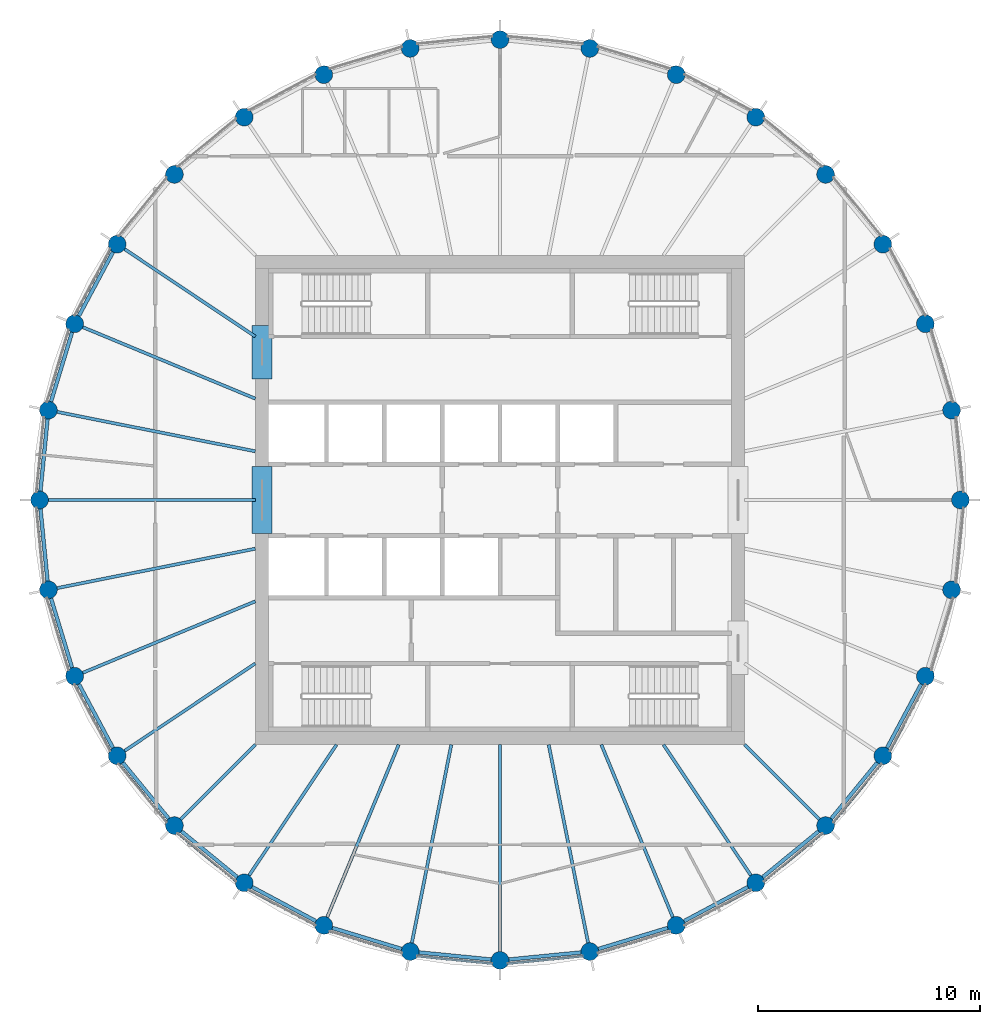
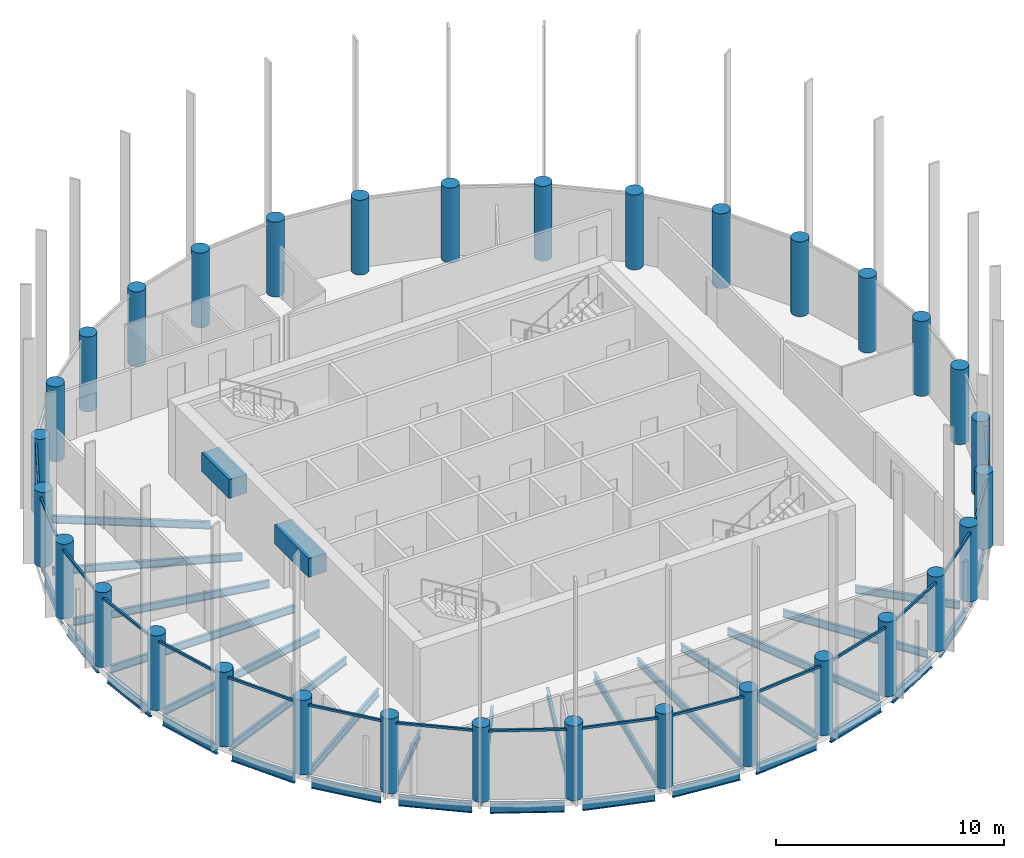
# One storey, part 1 of 7: 35 beams, 32 columns, 17 members, 17 elements without a shape of their own.
"""IFC4 building model written with IfcOpenShell, lengths in metres."""

from ifc_helpers import new_model, si_unit, direction, frame, origin, origin_2d, place, context, subcontext, project, spatial, rectangle, circle, i_section, extrude, material, material_profile, profile_set, type_object, element, aggregate, save


model = new_model("IFC4")

# Units and contexts
model_context = context("Model", 3, precision=1e-05, world=origin(), true_north=direction((0.0, 1.0)))
body_context = subcontext(model_context, "Body", "Model", "MODEL_VIEW")
ifc_project = project(units=[si_unit("LENGTHUNIT", "METRE"), si_unit("AREAUNIT", "SQUARE_METRE"), si_unit("VOLUMEUNIT", "CUBIC_METRE"), si_unit("PLANEANGLEUNIT", "RADIAN"), si_unit("MASSUNIT", "GRAM", prefix="KILO")], contexts=[model_context])

# Site, building, storey
site_placement = place(None, origin())
site = spatial("IfcSite", under=ifc_project, at=site_placement, CompositionType="ELEMENT")
building_placement = place(site_placement, origin())
building = spatial("IfcBuilding", under=site, at=building_placement, Name="Corvane Civic Tower", CompositionType="ELEMENT")
storey_placement = place(building_placement, frame((0.0, 0.0, 368.5)))
storey = spatial("IfcBuildingStorey", under=building, at=storey_placement, Name="L88", CompositionType="ELEMENT", Elevation=368.5)

# Columns
ifc_material_1 = material(Name="Concrete C60/75", Category="concrete")
ifc_material_profile_1 = material_profile(ifc_material_1, circle(Radius=0.39990234375, at=origin_2d()), Name="COLUMN 800")
ifc_profile_set_1 = profile_set([ifc_material_profile_1], Name="Concrete C60/75")
column_type = type_object("IfcColumnType", Name="RC COLUMN COLUMN 800", PredefinedType="COLUMN", material=ifc_profile_set_1)
for number, where, z_axis, x_axis, name in (
    (1, (0.0, 20.699951171875, 0.0), (0.0, 0.0, 1.0), (1.0, 0.0, 0.0), "COL-L88-F01"),
    (2, (4.038330078125, 20.30224609375, 0.0), (0.0, 0.0, 1.0), (1.0, 0.0, 0.0), "COL-L88-F02"),
    (3, (7.921630859375, 19.124267578125, 0.0), (0.0, 0.0, 1.0), (1.0, 0.0, 0.0), "COL-L88-F03"),
    (4, (11.500244140625, 17.21142578125, 0.0), (0.0, 0.0, 1.0), (1.0, 0.0, 0.0), "COL-L88-F04"),
    (5, (14.63720703125, 14.63720703125, 0.0), (0.0, 0.0, 1.0), (1.0, 0.0, 0.0), "COL-L88-F05"),
    (6, (17.21142578125, 11.500244140625, 0.0), (0.0, 0.0, 1.0), (1.0, 0.0, 0.0), "COL-L88-F06"),
    (7, (19.124267578125, 7.921630859375, 0.0), (0.0, 0.0, 1.0), (1.0, 0.0, 0.0), "COL-L88-F07"),
    (8, (20.30224609375, 4.038330078125, 0.0), (0.0, 0.0, 1.0), (1.0, 0.0, 0.0), "COL-L88-F08"),
    (9, (20.699951171875, 0.0, 0.0), (0.0, 0.0, 1.0), (1.0, 0.0, 0.0), "COL-L88-F09"),
    (10, (20.30224609375, -4.038330078125, 0.0), (0.0, 0.0, 1.0), (1.0, 0.0, 0.0), "COL-L88-F10"),
    (11, (19.124267578125, -7.921630859375, 0.0), (0.0, 0.0, 1.0), (1.0, 0.0, 0.0), "COL-L88-F11"),
    (12, (17.21142578125, -11.500244140625, 0.0), (0.0, 0.0, 1.0), (1.0, 0.0, 0.0), "COL-L88-F12"),
    (13, (14.63720703125, -14.63720703125, 0.0), (0.0, 0.0, 1.0), (1.0, 0.0, 0.0), "COL-L88-F13"),
    (14, (11.500244140625, -17.21142578125, 0.0), (0.0, 0.0, 1.0), (1.0, 0.0, 0.0), "COL-L88-F14"),
    (15, (7.921630859375, -19.124267578125, 0.0), (0.0, 0.0, 1.0), (1.0, 0.0, 0.0), "COL-L88-F15"),
    (16, (4.038330078125, -20.30224609375, 0.0), (0.0, 0.0, 1.0), (1.0, 0.0, 0.0), "COL-L88-F16"),
    (17, (0.0, -20.699951171875, 0.0), (0.0, 0.0, 1.0), (1.0, 0.0, 0.0), "COL-L88-F17"),
    (18, (-4.038330078125, -20.30224609375, 0.0), (0.0, 0.0, 1.0), (1.0, 0.0, 0.0), "COL-L88-F18"),
    (19, (-7.921630859375, -19.124267578125, 0.0), (0.0, 0.0, 1.0), (1.0, 0.0, 0.0), "COL-L88-F19"),
    (20, (-11.500244140625, -17.21142578125, 0.0), (0.0, 0.0, 1.0), (1.0, 0.0, 0.0), "COL-L88-F20"),
    (21, (-14.63720703125, -14.63720703125, 0.0), (0.0, 0.0, 1.0), (1.0, 0.0, 0.0), "COL-L88-F21"),
    (22, (-17.21142578125, -11.500244140625, 0.0), (0.0, 0.0, 1.0), (1.0, 0.0, 0.0), "COL-L88-F22"),
    (23, (-19.124267578125, -7.921630859375, 0.0), (0.0, 0.0, 1.0), (1.0, 0.0, 0.0), "COL-L88-F23"),
    (24, (-20.30224609375, -4.038330078125, 0.0), (0.0, 0.0, 1.0), (1.0, 0.0, 0.0), "COL-L88-F24"),
    (25, (-20.699951171875, 0.0, 0.0), (0.0, 0.0, 1.0), (1.0, 0.0, 0.0), "COL-L88-F25"),
    (26, (-20.30224609375, 4.038330078125, 0.0), (0.0, 0.0, 1.0), (1.0, 0.0, 0.0), "COL-L88-F26"),
    (27, (-19.124267578125, 7.921630859375, 0.0), (0.0, 0.0, 1.0), (1.0, 0.0, 0.0), "COL-L88-F27"),
    (28, (-17.21142578125, 11.500244140625, 0.0), (0.0, 0.0, 1.0), (1.0, 0.0, 0.0), "COL-L88-F28"),
    (29, (-14.63720703125, 14.63720703125, 0.0), (0.0, 0.0, 1.0), (1.0, 0.0, 0.0), "COL-L88-F29"),
    (30, (-11.500244140625, 17.21142578125, 0.0), (0.0, 0.0, 1.0), (1.0, 0.0, 0.0), "COL-L88-F30"),
    (31, (-7.921630859375, 19.124267578125, 0.0), (0.0, 0.0, 1.0), (1.0, 0.0, 0.0), "COL-L88-F31"),
    (32, (-4.038330078125, 20.30224609375, 0.0), (0.0, 0.0, 1.0), (1.0, 0.0, 0.0), "COL-L88-F32"),
):
    element("IfcColumn", number, at=place(storey_placement, frame(where, z_axis=z_axis, x_axis=x_axis)), inside=storey, type_object=column_type, Name=name, PredefinedType="COLUMN", context=body_context, shape_type="SweptSolid", body=[
        extrude(circle(Radius=0.39990234375, at=origin_2d()), origin(), (0.0, 0.0, 1.0), 4.0),
    ])

# Beams
ifc_material_2 = material(Name="Concrete C40/50", Category="concrete")
ifc_material_profile_2 = material_profile(ifc_material_2, rectangle(XDim=0.89990234375, YDim=1.0, at=origin_2d()), Name="COUPLING BEAM 900X1000")
ifc_profile_set_2 = profile_set([ifc_material_profile_2], Name="Concrete C40/50")
beam_type_1 = type_object("IfcBeamType", Name="COUPLING BEAM COUPLING BEAM 900X1000", PredefinedType="BEAM", material=ifc_profile_set_2)
beam_1_placement = place(storey_placement, frame((-10.699951171875, -1.5, 2.60009765625), z_axis=(0.0, 1.0, 0.0), x_axis=(-1.0, 0.0, 0.0)))
element("IfcBeam", 33, at=beam_1_placement, inside=storey, type_object=beam_type_1, Name="BM-L88-cpl-CW-LW", PredefinedType="BEAM", context=body_context, shape_type="SweptSolid", body=[
    extrude(rectangle(XDim=0.89990234375, YDim=1.0, at=origin_2d()), origin(), (0.0, 0.0, 1.0), 3.0),
])
beam_2_placement = place(storey_placement, frame((-10.699951171875, 5.449951171875, 2.60009765625), z_axis=(0.0, 1.0, 0.0), x_axis=(-1.0, 0.0, 0.0)))
element("IfcBeam", 34, at=beam_2_placement, inside=storey, type_object=beam_type_1, Name="BM-L88-cpl-CW-WN", PredefinedType="BEAM", context=body_context, shape_type="SweptSolid", body=[
    extrude(rectangle(XDim=0.89990234375, YDim=1.0, at=origin_2d()), origin(), (0.0, 0.0, 1.0), 2.400146484375),
])
ifc_material_3 = material(Name="Steel ASTM A992 Gr 50", Category="steel")
ifc_material_profile_3 = material_profile(ifc_material_3, i_section(OverallWidth=0.165771484375, OverallDepth=0.5283203125, WebThickness=0.009765625, FlangeThickness=0.013671875, at=origin_2d()), Name="W21X50")
ifc_profile_set_3 = profile_set([ifc_material_profile_3], Name="Steel ASTM A992 Gr 50")
beam_type_2 = type_object("IfcBeamType", Name="EDGE BEAM W21X50", PredefinedType="BEAM", material=ifc_profile_set_3)
for number, where, z_axis, x_axis, name in (
    (35, (18.935791015625, -8.2744140625, -0.564208984375), (-0.471447618, -0.881894065907, 0.0), (0.881894065907, -0.471447618, 0.0), "BM-L88-E11"),
    (36, (16.957763671875, -11.8095703125, -0.564208984375), (-0.634424551454, -0.772984791903, 0.0), (0.772984791903, -0.634424551454, 0.0), "BM-L88-E12"),
    (37, (14.327880859375, -14.890869140625, -0.564208984375), (-0.772984791903, -0.634424551454, 0.0), (0.634424551454, -0.772984791903, 0.0), "BM-L88-E13"),
    (38, (11.1474609375, -17.39990234375, -0.564208984375), (-0.881894065907, -0.471447618, 0.0), (0.471447618, -0.881894065907, 0.0), "BM-L88-E14"),
    (39, (7.538818359375, -19.240478515625, -0.564208984375), (-0.956955679349, -0.290234091317, 0.0), (0.290234091317, -0.956955679349, 0.0), "BM-L88-E15"),
):
    element("IfcBeam", number, at=place(storey_placement, frame(where, z_axis=z_axis, x_axis=x_axis)), inside=storey, type_object=beam_type_2, Name=name, PredefinedType="BEAM", context=body_context, shape_type="SweptSolid", body=[
        extrude(i_section(OverallWidth=0.165771484375, OverallDepth=0.5283203125, WebThickness=0.009765625, FlangeThickness=0.013671875, at=origin_2d()), origin(), (0.0, 0.0, 1.0), 3.2578125),
    ])
for number, where, z_axis, x_axis, name in (
    (40, (3.640380859375, -20.341552734375, -0.564208984375), (-0.995192503142, -0.097938152369, 0.0), (0.097938152369, -0.995192503142, 0.0), "BM-L88-E16"),
    (41, (-0.39794921875, -20.66064453125, -0.564208984375), (-0.995192503142, 0.097938152369, 0.0), (-0.097938152369, -0.995192503142, 0.0), "BM-L88-E17"),
):
    element("IfcBeam", number, at=place(storey_placement, frame(where, z_axis=z_axis, x_axis=x_axis)), inside=storey, type_object=beam_type_2, Name=name, PredefinedType="BEAM", context=body_context, shape_type="SweptSolid", body=[
        extrude(i_section(OverallWidth=0.165771484375, OverallDepth=0.5283203125, WebThickness=0.009765625, FlangeThickness=0.013671875, at=origin_2d()), origin(), (0.0, 0.0, 1.0), 3.258056640625),
    ])
for number, where, z_axis, x_axis, name in (
    (42, (-4.421142578125, -20.18603515625, -0.564208984375), (-0.956955679349, 0.290234091317, 0.0), (-0.290234091317, -0.956955679349, 0.0), "BM-L88-E18"),
    (43, (-8.2744140625, -18.935791015625, -0.564208984375), (-0.881894065907, 0.471447618, 0.0), (-0.471447618, -0.881894065907, 0.0), "BM-L88-E19"),
    (44, (-11.8095703125, -16.957763671875, -0.564208984375), (-0.772984791903, 0.634424551454, 0.0), (-0.634424551454, -0.772984791903, 0.0), "BM-L88-E20"),
    (45, (-14.890869140625, -14.327880859375, -0.564208984375), (-0.634424551454, 0.772984791903, 0.0), (-0.772984791903, -0.634424551454, 0.0), "BM-L88-E21"),
    (46, (-17.39990234375, -11.1474609375, -0.564208984375), (-0.471447618, 0.881894065907, 0.0), (-0.881894065907, -0.471447618, 0.0), "BM-L88-E22"),
    (47, (-19.240478515625, -7.538818359375, -0.564208984375), (-0.290234091317, 0.956955679349, 0.0), (-0.956955679349, -0.290234091317, 0.0), "BM-L88-E23"),
):
    element("IfcBeam", number, at=place(storey_placement, frame(where, z_axis=z_axis, x_axis=x_axis)), inside=storey, type_object=beam_type_2, Name=name, PredefinedType="BEAM", context=body_context, shape_type="SweptSolid", body=[
        extrude(i_section(OverallWidth=0.165771484375, OverallDepth=0.5283203125, WebThickness=0.009765625, FlangeThickness=0.013671875, at=origin_2d()), origin(), (0.0, 0.0, 1.0), 3.2578125),
    ])
for number, where, z_axis, x_axis, name in (
    (48, (-20.341552734375, -3.640380859375, -0.564208984375), (-0.097938152369, 0.995192503142, 0.0), (-0.995192503142, -0.097938152369, 0.0), "BM-L88-E24"),
    (49, (-20.66064453125, 0.39794921875, -0.564208984375), (0.097938152369, 0.995192503142, 0.0), (-0.995192503142, 0.097938152369, 0.0), "BM-L88-E25"),
):
    element("IfcBeam", number, at=place(storey_placement, frame(where, z_axis=z_axis, x_axis=x_axis)), inside=storey, type_object=beam_type_2, Name=name, PredefinedType="BEAM", context=body_context, shape_type="SweptSolid", body=[
        extrude(i_section(OverallWidth=0.165771484375, OverallDepth=0.5283203125, WebThickness=0.009765625, FlangeThickness=0.013671875, at=origin_2d()), origin(), (0.0, 0.0, 1.0), 3.258056640625),
    ])
for number, where, z_axis, x_axis, name in (
    (50, (-20.18603515625, 4.421142578125, -0.564208984375), (0.290234091317, 0.956955679349, 0.0), (-0.956955679349, 0.290234091317, 0.0), "BM-L88-E26"),
    (51, (-18.935791015625, 8.2744140625, -0.564208984375), (0.471447618, 0.881894065907, 0.0), (-0.881894065907, 0.471447618, 0.0), "BM-L88-E27"),
):
    element("IfcBeam", number, at=place(storey_placement, frame(where, z_axis=z_axis, x_axis=x_axis)), inside=storey, type_object=beam_type_2, Name=name, PredefinedType="BEAM", context=body_context, shape_type="SweptSolid", body=[
        extrude(i_section(OverallWidth=0.165771484375, OverallDepth=0.5283203125, WebThickness=0.009765625, FlangeThickness=0.013671875, at=origin_2d()), origin(), (0.0, 0.0, 1.0), 3.2578125),
    ])
ifc_material_4 = material(Name="Steel ASTM A992 Gr 50", Category="steel")
ifc_material_profile_4 = material_profile(ifc_material_4, i_section(OverallWidth=0.140380859375, OverallDepth=0.40380859375, WebThickness=0.007080078125, FlangeThickness=0.01123046875, at=origin_2d()), Name="W16X31")
ifc_profile_set_4 = profile_set([ifc_material_profile_4], Name="Steel ASTM A992 Gr 50")
beam_type_3 = type_object("IfcBeamType", Name="FLOOR GIRDER W16X31", PredefinedType="BEAM", material=ifc_profile_set_4)
beam_3_placement = place(storey_placement, frame((11.0, -11.0, -0.501953125), z_axis=(0.707106781187, -0.707106781187, 0.0), x_axis=(0.707106781187, 0.707106781187, 0.0)))
element("IfcBeam", 52, at=beam_3_placement, inside=storey, type_object=beam_type_3, Name="BM-L88-G13", PredefinedType="BEAM", context=body_context, shape_type="SweptSolid", body=[
    extrude(i_section(OverallWidth=0.140380859375, OverallDepth=0.40380859375, WebThickness=0.007080078125, FlangeThickness=0.01123046875, at=origin_2d()), origin(), (0.0, 0.0, 1.0), 4.74365234375),
])
beam_4_placement = place(storey_placement, frame((7.349853515625, -11.0, -0.501953125), z_axis=(0.555576401385, -0.831465490699, 0.0), x_axis=(0.831465490699, 0.555576401385, 0.0)))
element("IfcBeam", 53, at=beam_4_placement, inside=storey, type_object=beam_type_3, Name="BM-L88-G14", PredefinedType="BEAM", context=body_context, shape_type="SweptSolid", body=[
    extrude(i_section(OverallWidth=0.140380859375, OverallDepth=0.40380859375, WebThickness=0.007080078125, FlangeThickness=0.01123046875, at=origin_2d()), origin(), (0.0, 0.0, 1.0), 7.070556640625),
])
beam_5_placement = place(storey_placement, frame((4.556396484375, -11.0, -0.501953125), z_axis=(0.382691739894, -0.923876091377, 0.0), x_axis=(0.923876091377, 0.382691739894, 0.0)))
element("IfcBeam", 54, at=beam_5_placement, inside=storey, type_object=beam_type_3, Name="BM-L88-G15", PredefinedType="BEAM", context=body_context, shape_type="SweptSolid", body=[
    extrude(i_section(OverallWidth=0.140380859375, OverallDepth=0.40380859375, WebThickness=0.007080078125, FlangeThickness=0.01123046875, at=origin_2d()), origin(), (0.0, 0.0, 1.0), 8.3935546875),
])
beam_6_placement = place(storey_placement, frame((2.18798828125, -11.0, -0.501953125), z_axis=(0.195108241061, -0.980781715913, 0.0), x_axis=(0.980781715913, 0.195108241061, 0.0)))
element("IfcBeam", 55, at=beam_6_placement, inside=storey, type_object=beam_type_3, Name="BM-L88-G16", PredefinedType="BEAM", context=body_context, shape_type="SweptSolid", body=[
    extrude(i_section(OverallWidth=0.140380859375, OverallDepth=0.40380859375, WebThickness=0.007080078125, FlangeThickness=0.01123046875, at=origin_2d()), origin(), (0.0, 0.0, 1.0), 9.08447265625),
])
beam_7_placement = place(storey_placement, frame((0.0, -11.0, -0.501953125), z_axis=(0.0, -1.0, 0.0), x_axis=(1.0, 0.0, 0.0)))
element("IfcBeam", 56, at=beam_7_placement, inside=storey, type_object=beam_type_3, Name="BM-L88-G17", PredefinedType="BEAM", context=body_context, shape_type="SweptSolid", body=[
    extrude(i_section(OverallWidth=0.140380859375, OverallDepth=0.40380859375, WebThickness=0.007080078125, FlangeThickness=0.01123046875, at=origin_2d()), origin(), (0.0, 0.0, 1.0), 9.300048828125),
])
beam_8_placement = place(storey_placement, frame((-2.18798828125, -11.0, -0.501953125), z_axis=(-0.195108241061, -0.980781715913, 0.0), x_axis=(0.980781715913, -0.195108241061, 0.0)))
element("IfcBeam", 57, at=beam_8_placement, inside=storey, type_object=beam_type_3, Name="BM-L88-G18", PredefinedType="BEAM", context=body_context, shape_type="SweptSolid", body=[
    extrude(i_section(OverallWidth=0.140380859375, OverallDepth=0.40380859375, WebThickness=0.007080078125, FlangeThickness=0.01123046875, at=origin_2d()), origin(), (0.0, 0.0, 1.0), 9.08447265625),
])
beam_9_placement = place(storey_placement, frame((-4.556396484375, -11.0, -0.501953125), z_axis=(-0.382691739894, -0.923876091377, 0.0), x_axis=(0.923876091377, -0.382691739894, 0.0)))
element("IfcBeam", 58, at=beam_9_placement, inside=storey, type_object=beam_type_3, Name="BM-L88-G19", PredefinedType="BEAM", context=body_context, shape_type="SweptSolid", body=[
    extrude(i_section(OverallWidth=0.140380859375, OverallDepth=0.40380859375, WebThickness=0.007080078125, FlangeThickness=0.01123046875, at=origin_2d()), origin(), (0.0, 0.0, 1.0), 8.3935546875),
])
beam_10_placement = place(storey_placement, frame((-7.349853515625, -11.0, -0.501953125), z_axis=(-0.555576401385, -0.831465490699, 0.0), x_axis=(0.831465490699, -0.555576401385, 0.0)))
element("IfcBeam", 59, at=beam_10_placement, inside=storey, type_object=beam_type_3, Name="BM-L88-G20", PredefinedType="BEAM", context=body_context, shape_type="SweptSolid", body=[
    extrude(i_section(OverallWidth=0.140380859375, OverallDepth=0.40380859375, WebThickness=0.007080078125, FlangeThickness=0.01123046875, at=origin_2d()), origin(), (0.0, 0.0, 1.0), 7.070556640625),
])
beam_11_placement = place(storey_placement, frame((-11.0, -11.0, -0.501953125), z_axis=(-0.707106781187, -0.707106781187, 0.0), x_axis=(0.707106781187, -0.707106781187, 0.0)))
element("IfcBeam", 60, at=beam_11_placement, inside=storey, type_object=beam_type_3, Name="BM-L88-G21", PredefinedType="BEAM", context=body_context, shape_type="SweptSolid", body=[
    extrude(i_section(OverallWidth=0.140380859375, OverallDepth=0.40380859375, WebThickness=0.007080078125, FlangeThickness=0.01123046875, at=origin_2d()), origin(), (0.0, 0.0, 1.0), 4.74365234375),
])
beam_12_placement = place(storey_placement, frame((-11.0, -7.349853515625, -0.501953125), z_axis=(-0.831465490699, -0.555576401385, 0.0), x_axis=(0.555576401385, -0.831465490699, 0.0)))
element("IfcBeam", 61, at=beam_12_placement, inside=storey, type_object=beam_type_3, Name="BM-L88-G22", PredefinedType="BEAM", context=body_context, shape_type="SweptSolid", body=[
    extrude(i_section(OverallWidth=0.140380859375, OverallDepth=0.40380859375, WebThickness=0.007080078125, FlangeThickness=0.01123046875, at=origin_2d()), origin(), (0.0, 0.0, 1.0), 7.070556640625),
])
beam_13_placement = place(storey_placement, frame((-11.0, -4.556396484375, -0.501953125), z_axis=(-0.923876091377, -0.382691739894, 0.0), x_axis=(0.382691739894, -0.923876091377, 0.0)))
element("IfcBeam", 62, at=beam_13_placement, inside=storey, type_object=beam_type_3, Name="BM-L88-G23", PredefinedType="BEAM", context=body_context, shape_type="SweptSolid", body=[
    extrude(i_section(OverallWidth=0.140380859375, OverallDepth=0.40380859375, WebThickness=0.007080078125, FlangeThickness=0.01123046875, at=origin_2d()), origin(), (0.0, 0.0, 1.0), 8.3935546875),
])
beam_14_placement = place(storey_placement, frame((-11.0, -2.18798828125, -0.501953125), z_axis=(-0.980781715913, -0.195108241061, 0.0), x_axis=(0.195108241061, -0.980781715913, 0.0)))
element("IfcBeam", 63, at=beam_14_placement, inside=storey, type_object=beam_type_3, Name="BM-L88-G24", PredefinedType="BEAM", context=body_context, shape_type="SweptSolid", body=[
    extrude(i_section(OverallWidth=0.140380859375, OverallDepth=0.40380859375, WebThickness=0.007080078125, FlangeThickness=0.01123046875, at=origin_2d()), origin(), (0.0, 0.0, 1.0), 9.08447265625),
])
beam_15_placement = place(storey_placement, frame((-11.0, 0.0, -0.501953125), z_axis=(-1.0, 0.0, 0.0), x_axis=(0.0, -1.0, 0.0)))
element("IfcBeam", 64, at=beam_15_placement, inside=storey, type_object=beam_type_3, Name="BM-L88-G25", PredefinedType="BEAM", context=body_context, shape_type="SweptSolid", body=[
    extrude(i_section(OverallWidth=0.140380859375, OverallDepth=0.40380859375, WebThickness=0.007080078125, FlangeThickness=0.01123046875, at=origin_2d()), origin(), (0.0, 0.0, 1.0), 9.300048828125),
])
beam_16_placement = place(storey_placement, frame((-11.0, 2.18798828125, -0.501953125), z_axis=(-0.980781715913, 0.195108241061, 0.0), x_axis=(-0.195108241061, -0.980781715913, 0.0)))
element("IfcBeam", 65, at=beam_16_placement, inside=storey, type_object=beam_type_3, Name="BM-L88-G26", PredefinedType="BEAM", context=body_context, shape_type="SweptSolid", body=[
    extrude(i_section(OverallWidth=0.140380859375, OverallDepth=0.40380859375, WebThickness=0.007080078125, FlangeThickness=0.01123046875, at=origin_2d()), origin(), (0.0, 0.0, 1.0), 9.08447265625),
])
beam_17_placement = place(storey_placement, frame((-11.0, 4.556396484375, -0.501953125), z_axis=(-0.923876091377, 0.382691739894, 0.0), x_axis=(-0.382691739894, -0.923876091377, 0.0)))
element("IfcBeam", 66, at=beam_17_placement, inside=storey, type_object=beam_type_3, Name="BM-L88-G27", PredefinedType="BEAM", context=body_context, shape_type="SweptSolid", body=[
    extrude(i_section(OverallWidth=0.140380859375, OverallDepth=0.40380859375, WebThickness=0.007080078125, FlangeThickness=0.01123046875, at=origin_2d()), origin(), (0.0, 0.0, 1.0), 8.3935546875),
])
beam_18_placement = place(storey_placement, frame((-11.0, 7.349853515625, -0.501953125), z_axis=(-0.831465490699, 0.555576401385, 0.0), x_axis=(-0.555576401385, -0.831465490699, 0.0)))
element("IfcBeam", 67, at=beam_18_placement, inside=storey, type_object=beam_type_3, Name="BM-L88-G28", PredefinedType="BEAM", context=body_context, shape_type="SweptSolid", body=[
    extrude(i_section(OverallWidth=0.140380859375, OverallDepth=0.40380859375, WebThickness=0.007080078125, FlangeThickness=0.01123046875, at=origin_2d()), origin(), (0.0, 0.0, 1.0), 7.070556640625),
])

# Curtain wall, member
ifc_material_5 = material(Name="Anodised aluminium bronze", Category="aluminium")
curtain_wall_type = type_object("IfcCurtainWallType", Name="TOWER CW-T3 STICK CURTAIN WALL", PredefinedType="NOTDEFINED", material=ifc_material_5)
curtain_wall_1_placement = place(storey_placement, origin())
curtain_wall_1 = element("IfcCurtainWall", 68, at=curtain_wall_1_placement, inside=storey, type_object=curtain_wall_type, Name="Curtain wall CW-T3 L88 bay 11", PredefinedType="NOTDEFINED")
ifc_material_6 = material(Name="Anodised aluminium bronze", Category="aluminium")
ifc_material_profile_5 = material_profile(ifc_material_6, rectangle(XDim=0.10009765625, YDim=0.1201171875, at=origin_2d()), Name="TOWER CW-T3 TRANSOM 100x120")
ifc_profile_set_5 = profile_set([ifc_material_profile_5], Name="Anodised aluminium bronze")
member_type = type_object("IfcMemberType", Name="TOWER CW-T3 TRANSOM 100x120", PredefinedType="USERDEFINED", material=ifc_profile_set_5)
member_1_placement = place(storey_placement, frame((19.127685546875, -8.294921875, 3.68994140625), z_axis=(-0.471358988063, -0.881941440444, 0.0), x_axis=(0.881941440444, -0.471358988063, 0.0)))
member_1 = element("IfcMember", 69, at=member_1_placement, type_object=member_type, Name="Transom CW-T3 L88 11.1", ObjectType="TRANSOM", PredefinedType="USERDEFINED", context=body_context, shape_type="SweptSolid", body=[
    extrude(rectangle(XDim=0.10009765625, YDim=0.1201171875, at=origin_2d()), origin(), (0.0, 0.0, 1.0), 3.40234375),
])
aggregate(curtain_wall_1, [member_1])

curtain_wall_2_placement = place(storey_placement, origin())
curtain_wall_2 = element("IfcCurtainWall", 70, at=curtain_wall_2_placement, inside=storey, type_object=curtain_wall_type, Name="Curtain wall CW-T3 L88 bay 12", PredefinedType="NOTDEFINED")
member_2_placement = place(storey_placement, frame((17.14208984375, -11.8671875, 3.68994140625), z_axis=(-0.634393571736, -0.773010217358, 0.0), x_axis=(0.773010217358, -0.634393571736, 0.0)))
member_2 = element("IfcMember", 71, at=member_2_placement, type_object=member_type, Name="Transom CW-T3 L88 12.1", ObjectType="TRANSOM", PredefinedType="USERDEFINED", context=body_context, shape_type="SweptSolid", body=[
    extrude(rectangle(XDim=0.10009765625, YDim=0.1201171875, at=origin_2d()), origin(), (0.0, 0.0, 1.0), 3.40283203125),
])
aggregate(curtain_wall_2, [member_2])

curtain_wall_3_placement = place(storey_placement, origin())
curtain_wall_3 = element("IfcCurtainWall", 72, at=curtain_wall_3_placement, inside=storey, type_object=curtain_wall_type, Name="Curtain wall CW-T3 L88 bay 13", PredefinedType="NOTDEFINED")
member_3_placement = place(storey_placement, frame((14.49755859375, -14.9833984375, 3.68994140625), z_axis=(-0.773010217358, -0.634393571736, 0.0), x_axis=(0.634393571736, -0.773010217358, 0.0)))
member_3 = element("IfcMember", 73, at=member_3_placement, type_object=member_type, Name="Transom CW-T3 L88 13.1", ObjectType="TRANSOM", PredefinedType="USERDEFINED", context=body_context, shape_type="SweptSolid", body=[
    extrude(rectangle(XDim=0.10009765625, YDim=0.1201171875, at=origin_2d()), origin(), (0.0, 0.0, 1.0), 3.40283203125),
])
aggregate(curtain_wall_3, [member_3])

curtain_wall_4_placement = place(storey_placement, origin())
curtain_wall_4 = element("IfcCurtainWall", 74, at=curtain_wall_4_placement, inside=storey, type_object=curtain_wall_type, Name="Curtain wall CW-T3 L88 bay 14", PredefinedType="NOTDEFINED")
member_4_placement = place(storey_placement, frame((11.295654296875, -17.52392578125, 3.68994140625), z_axis=(-0.881941440444, -0.471358988063, 0.0), x_axis=(0.471358988063, -0.881941440444, 0.0)))
member_4 = element("IfcMember", 75, at=member_4_placement, type_object=member_type, Name="Transom CW-T3 L88 14.1", ObjectType="TRANSOM", PredefinedType="USERDEFINED", context=body_context, shape_type="SweptSolid", body=[
    extrude(rectangle(XDim=0.10009765625, YDim=0.1201171875, at=origin_2d()), origin(), (0.0, 0.0, 1.0), 3.40234375),
])
aggregate(curtain_wall_4, [member_4])

curtain_wall_5_placement = place(storey_placement, origin())
curtain_wall_5 = element("IfcCurtainWall", 76, at=curtain_wall_5_placement, inside=storey, type_object=curtain_wall_type, Name="Curtain wall CW-T3 L88 bay 15", PredefinedType="NOTDEFINED")
member_5_placement = place(storey_placement, frame((7.66015625, -19.390869140625, 3.68994140625), z_axis=(-0.956961022204, -0.290216474345, 0.0), x_axis=(0.290216474345, -0.956961022204, 0.0)))
member_5 = element("IfcMember", 77, at=member_5_placement, type_object=member_type, Name="Transom CW-T3 L88 15.1", ObjectType="TRANSOM", PredefinedType="USERDEFINED", context=body_context, shape_type="SweptSolid", body=[
    extrude(rectangle(XDim=0.10009765625, YDim=0.1201171875, at=origin_2d()), origin(), (0.0, 0.0, 1.0), 3.40283203125),
])
aggregate(curtain_wall_5, [member_5])

curtain_wall_6_placement = place(storey_placement, origin())
curtain_wall_6 = element("IfcCurtainWall", 78, at=curtain_wall_6_placement, inside=storey, type_object=curtain_wall_type, Name="Curtain wall CW-T3 L88 bay 16", PredefinedType="NOTDEFINED")
member_6_placement = place(storey_placement, frame((3.729736328125, -20.5126953125, 3.68994140625), z_axis=(-0.995191564676, -0.097947688066, 0.0), x_axis=(0.097947688066, -0.995191564676, 0.0)))
member_6 = element("IfcMember", 79, at=member_6_placement, type_object=member_type, Name="Transom CW-T3 L88 16.1", ObjectType="TRANSOM", PredefinedType="USERDEFINED", context=body_context, shape_type="SweptSolid", body=[
    extrude(rectangle(XDim=0.10009765625, YDim=0.1201171875, at=origin_2d()), origin(), (0.0, 0.0, 1.0), 3.40234375),
])
aggregate(curtain_wall_6, [member_6])

curtain_wall_7_placement = place(storey_placement, origin())
curtain_wall_7 = element("IfcCurtainWall", 80, at=curtain_wall_7_placement, inside=storey, type_object=curtain_wall_type, Name="Curtain wall CW-T3 L88 bay 17", PredefinedType="NOTDEFINED")
member_7_placement = place(storey_placement, frame((-0.34375, -20.845947265625, 3.68994140625), z_axis=(-0.995191564676, 0.097947688066, 0.0), x_axis=(-0.097947688066, -0.995191564676, 0.0)))
member_7 = element("IfcMember", 81, at=member_7_placement, type_object=member_type, Name="Transom CW-T3 L88 17.1", ObjectType="TRANSOM", PredefinedType="USERDEFINED", context=body_context, shape_type="SweptSolid", body=[
    extrude(rectangle(XDim=0.10009765625, YDim=0.1201171875, at=origin_2d()), origin(), (0.0, 0.0, 1.0), 3.40234375),
])
aggregate(curtain_wall_7, [member_7])

curtain_wall_8_placement = place(storey_placement, origin())
curtain_wall_8 = element("IfcCurtainWall", 82, at=curtain_wall_8_placement, inside=storey, type_object=curtain_wall_type, Name="Curtain wall CW-T3 L88 bay 18", PredefinedType="NOTDEFINED")
member_8_placement = place(storey_placement, frame((-4.40380859375, -20.37841796875, 3.68994140625), z_axis=(-0.956961022204, 0.290216474345, 0.0), x_axis=(-0.290216474345, -0.956961022204, 0.0)))
member_8 = element("IfcMember", 83, at=member_8_placement, type_object=member_type, Name="Transom CW-T3 L88 18.1", ObjectType="TRANSOM", PredefinedType="USERDEFINED", context=body_context, shape_type="SweptSolid", body=[
    extrude(rectangle(XDim=0.10009765625, YDim=0.1201171875, at=origin_2d()), origin(), (0.0, 0.0, 1.0), 3.40283203125),
])
aggregate(curtain_wall_8, [member_8])

curtain_wall_9_placement = place(storey_placement, origin())
curtain_wall_9 = element("IfcCurtainWall", 84, at=curtain_wall_9_placement, inside=storey, type_object=curtain_wall_type, Name="Curtain wall CW-T3 L88 bay 19", PredefinedType="NOTDEFINED")
member_9_placement = place(storey_placement, frame((-8.294921875, -19.127685546875, 3.68994140625), z_axis=(-0.881941440444, 0.471358988063, 0.0), x_axis=(-0.471358988063, -0.881941440444, 0.0)))
member_9 = element("IfcMember", 85, at=member_9_placement, type_object=member_type, Name="Transom CW-T3 L88 19.1", ObjectType="TRANSOM", PredefinedType="USERDEFINED", context=body_context, shape_type="SweptSolid", body=[
    extrude(rectangle(XDim=0.10009765625, YDim=0.1201171875, at=origin_2d()), origin(), (0.0, 0.0, 1.0), 3.40234375),
])
aggregate(curtain_wall_9, [member_9])

curtain_wall_10_placement = place(storey_placement, origin())
curtain_wall_10 = element("IfcCurtainWall", 86, at=curtain_wall_10_placement, inside=storey, type_object=curtain_wall_type, Name="Curtain wall CW-T3 L88 bay 20", PredefinedType="NOTDEFINED")
member_10_placement = place(storey_placement, frame((-11.8671875, -17.14208984375, 3.68994140625), z_axis=(-0.773010217358, 0.634393571736, 0.0), x_axis=(-0.634393571736, -0.773010217358, 0.0)))
member_10 = element("IfcMember", 87, at=member_10_placement, type_object=member_type, Name="Transom CW-T3 L88 20.1", ObjectType="TRANSOM", PredefinedType="USERDEFINED", context=body_context, shape_type="SweptSolid", body=[
    extrude(rectangle(XDim=0.10009765625, YDim=0.1201171875, at=origin_2d()), origin(), (0.0, 0.0, 1.0), 3.40283203125),
])
aggregate(curtain_wall_10, [member_10])

curtain_wall_11_placement = place(storey_placement, origin())
curtain_wall_11 = element("IfcCurtainWall", 88, at=curtain_wall_11_placement, inside=storey, type_object=curtain_wall_type, Name="Curtain wall CW-T3 L88 bay 21", PredefinedType="NOTDEFINED")
member_11_placement = place(storey_placement, frame((-14.9833984375, -14.49755859375, 3.68994140625), z_axis=(-0.634393571736, 0.773010217358, 0.0), x_axis=(-0.773010217358, -0.634393571736, 0.0)))
member_11 = element("IfcMember", 89, at=member_11_placement, type_object=member_type, Name="Transom CW-T3 L88 21.1", ObjectType="TRANSOM", PredefinedType="USERDEFINED", context=body_context, shape_type="SweptSolid", body=[
    extrude(rectangle(XDim=0.10009765625, YDim=0.1201171875, at=origin_2d()), origin(), (0.0, 0.0, 1.0), 3.40283203125),
])
aggregate(curtain_wall_11, [member_11])

curtain_wall_12_placement = place(storey_placement, origin())
curtain_wall_12 = element("IfcCurtainWall", 90, at=curtain_wall_12_placement, inside=storey, type_object=curtain_wall_type, Name="Curtain wall CW-T3 L88 bay 22", PredefinedType="NOTDEFINED")
member_12_placement = place(storey_placement, frame((-17.52392578125, -11.295654296875, 3.68994140625), z_axis=(-0.471358988063, 0.881941440444, 0.0), x_axis=(-0.881941440444, -0.471358988063, 0.0)))
member_12 = element("IfcMember", 91, at=member_12_placement, type_object=member_type, Name="Transom CW-T3 L88 22.1", ObjectType="TRANSOM", PredefinedType="USERDEFINED", context=body_context, shape_type="SweptSolid", body=[
    extrude(rectangle(XDim=0.10009765625, YDim=0.1201171875, at=origin_2d()), origin(), (0.0, 0.0, 1.0), 3.40234375),
])
aggregate(curtain_wall_12, [member_12])

curtain_wall_13_placement = place(storey_placement, origin())
curtain_wall_13 = element("IfcCurtainWall", 92, at=curtain_wall_13_placement, inside=storey, type_object=curtain_wall_type, Name="Curtain wall CW-T3 L88 bay 23", PredefinedType="NOTDEFINED")
member_13_placement = place(storey_placement, frame((-19.390869140625, -7.66015625, 3.68994140625), z_axis=(-0.290216474345, 0.956961022204, 0.0), x_axis=(-0.956961022204, -0.290216474345, 0.0)))
member_13 = element("IfcMember", 93, at=member_13_placement, type_object=member_type, Name="Transom CW-T3 L88 23.1", ObjectType="TRANSOM", PredefinedType="USERDEFINED", context=body_context, shape_type="SweptSolid", body=[
    extrude(rectangle(XDim=0.10009765625, YDim=0.1201171875, at=origin_2d()), origin(), (0.0, 0.0, 1.0), 3.40283203125),
])
aggregate(curtain_wall_13, [member_13])

curtain_wall_14_placement = place(storey_placement, origin())
curtain_wall_14 = element("IfcCurtainWall", 94, at=curtain_wall_14_placement, inside=storey, type_object=curtain_wall_type, Name="Curtain wall CW-T3 L88 bay 24", PredefinedType="NOTDEFINED")
member_14_placement = place(storey_placement, frame((-20.5126953125, -3.729736328125, 3.68994140625), z_axis=(-0.097947688066, 0.995191564676, 0.0), x_axis=(-0.995191564676, -0.097947688066, 0.0)))
member_14 = element("IfcMember", 95, at=member_14_placement, type_object=member_type, Name="Transom CW-T3 L88 24.1", ObjectType="TRANSOM", PredefinedType="USERDEFINED", context=body_context, shape_type="SweptSolid", body=[
    extrude(rectangle(XDim=0.10009765625, YDim=0.1201171875, at=origin_2d()), origin(), (0.0, 0.0, 1.0), 3.40234375),
])
aggregate(curtain_wall_14, [member_14])

curtain_wall_15_placement = place(storey_placement, origin())
curtain_wall_15 = element("IfcCurtainWall", 96, at=curtain_wall_15_placement, inside=storey, type_object=curtain_wall_type, Name="Curtain wall CW-T3 L88 bay 25", PredefinedType="NOTDEFINED")
member_15_placement = place(storey_placement, frame((-20.845947265625, 0.34375, 3.68994140625), z_axis=(0.097947688066, 0.995191564676, 0.0), x_axis=(-0.995191564676, 0.097947688066, 0.0)))
member_15 = element("IfcMember", 97, at=member_15_placement, type_object=member_type, Name="Transom CW-T3 L88 25.1", ObjectType="TRANSOM", PredefinedType="USERDEFINED", context=body_context, shape_type="SweptSolid", body=[
    extrude(rectangle(XDim=0.10009765625, YDim=0.1201171875, at=origin_2d()), origin(), (0.0, 0.0, 1.0), 3.40234375),
])
aggregate(curtain_wall_15, [member_15])

curtain_wall_16_placement = place(storey_placement, origin())
curtain_wall_16 = element("IfcCurtainWall", 98, at=curtain_wall_16_placement, inside=storey, type_object=curtain_wall_type, Name="Curtain wall CW-T3 L88 bay 26", PredefinedType="NOTDEFINED")
member_16_placement = place(storey_placement, frame((-20.37841796875, 4.40380859375, 3.68994140625), z_axis=(0.290216474345, 0.956961022204, 0.0), x_axis=(-0.956961022204, 0.290216474345, 0.0)))
member_16 = element("IfcMember", 99, at=member_16_placement, type_object=member_type, Name="Transom CW-T3 L88 26.1", ObjectType="TRANSOM", PredefinedType="USERDEFINED", context=body_context, shape_type="SweptSolid", body=[
    extrude(rectangle(XDim=0.10009765625, YDim=0.1201171875, at=origin_2d()), origin(), (0.0, 0.0, 1.0), 3.40283203125),
])
aggregate(curtain_wall_16, [member_16])

curtain_wall_17_placement = place(storey_placement, origin())
curtain_wall_17 = element("IfcCurtainWall", 100, at=curtain_wall_17_placement, inside=storey, type_object=curtain_wall_type, Name="Curtain wall CW-T3 L88 bay 27", PredefinedType="NOTDEFINED")
member_17_placement = place(storey_placement, frame((-19.127685546875, 8.294921875, 3.68994140625), z_axis=(0.471358988063, 0.881941440444, 0.0), x_axis=(-0.881941440444, 0.471358988063, 0.0)))
member_17 = element("IfcMember", 101, at=member_17_placement, type_object=member_type, Name="Transom CW-T3 L88 27.1", ObjectType="TRANSOM", PredefinedType="USERDEFINED", context=body_context, shape_type="SweptSolid", body=[
    extrude(rectangle(XDim=0.10009765625, YDim=0.1201171875, at=origin_2d()), origin(), (0.0, 0.0, 1.0), 3.40234375),
])
aggregate(curtain_wall_17, [member_17])

save(model, "model.ifc")
